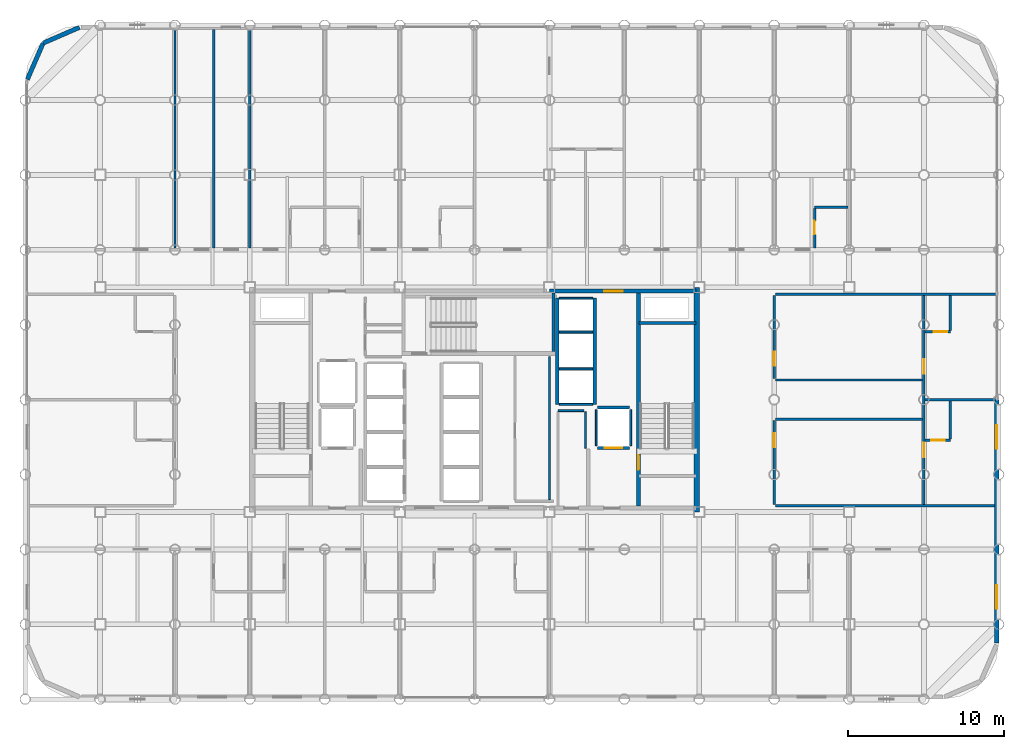
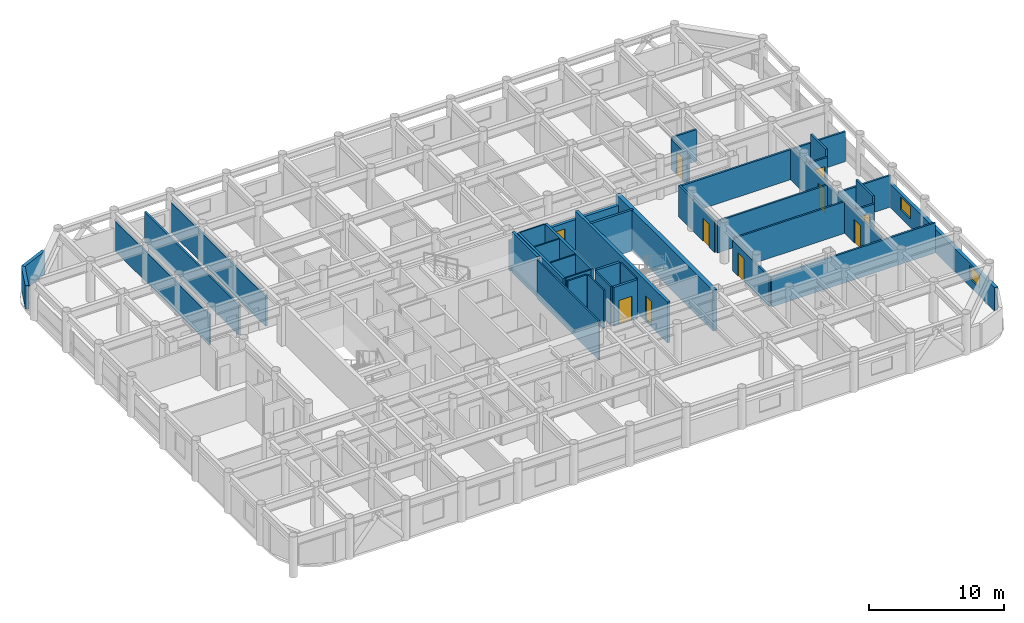
# One storey, part 20 of 22: 38 walls, 10 doors, 2 windows, 12 openings.
"""IFC4 building model written with IfcOpenShell, lengths in metres."""

from ifc_helpers import new_model, si_unit, direction, frame, frame_2d, origin, place, context, subcontext, project, spatial, rectangle, extrude, material, layer, layer_set, type_object, element, fill, save


model = new_model("IFC4")

# Units and contexts
model_context = context("Model", 3, precision=1e-05, world=origin(), true_north=direction((0.0, 1.0)))
body_context = subcontext(model_context, "Body", "Model", "MODEL_VIEW")
ifc_project = project(units=[si_unit("LENGTHUNIT", "METRE"), si_unit("AREAUNIT", "SQUARE_METRE"), si_unit("VOLUMEUNIT", "CUBIC_METRE"), si_unit("PLANEANGLEUNIT", "RADIAN"), si_unit("MASSUNIT", "GRAM", prefix="KILO")], contexts=[model_context])

# Site, building, storey
site_placement = place(None, origin())
site = spatial("IfcSite", under=ifc_project, at=site_placement, CompositionType="ELEMENT")
building_placement = place(site_placement, origin())
building = spatial("IfcBuilding", under=site, at=building_placement, Name="Kallvorn Hotel Tower", CompositionType="ELEMENT")
storey_placement = place(building_placement, frame((0.0, 0.0, 106.300048828125)))
storey = spatial("IfcBuildingStorey", under=building, at=storey_placement, Name="L25", CompositionType="ELEMENT", Elevation=106.300048828125)

# Walls
ifc_material_1 = material(Name="Concrete C50/60", Category="concrete")
ifc_layer_1 = layer(ifc_material_1, 0.35009765625)
ifc_layer_set_1 = layer_set([ifc_layer_1], Name="WL_CORE_350")
wall_type_1 = type_object("IfcWallType", Name="WL_CORE_350", PredefinedType="SHEAR", material=ifc_layer_set_1)
wall_1_placement = place(storey_placement, frame((14.239990234375, -7.199951171875, -0.179931640625), z_axis=(0.0, 0.0, 1.0), x_axis=(0.0, 1.0, 0.0)))
element("IfcWall", 1, at=wall_1_placement, inside=storey, type_object=wall_type_1, Name="L25 Core East Shear Wall", PredefinedType="SHEAR", context=body_context, shape_type="SweptSolid", body=[
    extrude(rectangle(XDim=14.39990234375, YDim=0.35009765625, at=frame_2d((7.199951171875, 0.0))), origin(), (0.0, 0.0, 1.0), 3.699951171875),
])
ifc_material_2 = material(Name="Fire-rated double-layer acoustic gypsum drywall EI 60")
ifc_layer_2 = layer(ifc_material_2, 0.159912109375)
ifc_layer_set_2 = layer_set([ifc_layer_2], Name="WL_DEMISE_160")
wall_type_2 = type_object("IfcWallType", Name="WL_DEMISE_160", PredefinedType="PARTITIONING", material=ifc_layer_set_2)
wall_2_placement = place(storey_placement, frame((19.280029296875, -6.800048828125, 0.0), z_axis=(0.0, 0.0, 1.0), x_axis=(1.0, 0.0, 0.0)))
element("IfcWall", 2, at=wall_2_placement, inside=storey, type_object=wall_type_2, Name="L25 Suite 2503 E Loggia King Room Partition", PredefinedType="PARTITIONING", context=body_context, shape_type="SweptSolid", body=[
    extrude(rectangle(XDim=14.030029296875, YDim=0.159912109375, at=frame_2d((7.01513671875, 0.0))), origin(), (0.0, 0.0, 1.0), 2.719970703125),
])

# Wall, opening, door
wall_3_placement = place(storey_placement, frame((28.8798828125, -2.60009765625, 0.0), z_axis=(0.0, 0.0, 1.0), x_axis=(1.0, 0.0, 0.0)))
wall_3 = element("IfcWall", 3, at=wall_3_placement, inside=storey, type_object=wall_type_2, Name="L25 Suite 2503 E Loggia King Room Partition", PredefinedType="PARTITIONING", context=body_context, shape_type="SweptSolid", body=[
    extrude(rectangle(XDim=1.6201171875, YDim=0.159912109375, at=frame_2d((0.81005859375, 0.0))), origin(), (0.0, 0.0, 1.0), 2.869873046875),
])
opening_1_placement = place(wall_3_placement, frame((0.3798828125, 0.0, 0.0)))
opening_1 = element("IfcOpeningElement", 4, at=opening_1_placement, cuts=wall_3, Name="Opening BD-I", PredefinedType="OPENING", context=body_context, shape_type="SweptSolid", body=[
    extrude(rectangle(XDim=0.860107421875, YDim=2.10009765625, at=frame_2d((0.43017578125, 1.050048828125))), frame((0.0, 0.094970703125, 0.0), z_axis=(0.0, -1.0, 0.0), x_axis=(1.0, 0.0, 0.0)), (0.0, 0.0, 1.0), 0.18994140625),
])
ifc_material_3 = material(Name="Solid-core walnut veneer fire-rated timber door leaf", Category="wood")
door_type_1 = type_object("IfcDoorType", Name="DR_BATH_860x2100", OperationType="NOTDEFINED", PredefinedType="DOOR", material=ifc_material_3)
door_1_placement = place(opening_1_placement, origin())
door_1 = element("IfcDoor", 5, at=door_1_placement, inside=storey, type_object=door_type_1, Name="L25 Suite 2503 En-Suite Bathroom Door", OperationType="SINGLE_SWING_LEFT", OverallHeight=2.10009765625, OverallWidth=0.860107421875, PredefinedType="DOOR", context=body_context, shape_type="SweptSolid", body=[
    extrude(rectangle(XDim=0.860107421875, YDim=2.10009765625, at=frame_2d((0.43017578125, 1.050048828125))), frame((0.0, 0.02490234375, 0.0), z_axis=(0.0, -1.0, 0.0), x_axis=(1.0, 0.0, 0.0)), (0.0, 0.0, 1.0), 0.050048828125),
])
fill(opening_1, door_1)

# Wall
wall_4_placement = place(storey_placement, frame((28.8798828125, 0.0, 0.0), z_axis=(0.0, 0.0, 1.0), x_axis=(1.0, 0.0, 0.0)))
element("IfcWall", 6, at=wall_4_placement, inside=storey, type_object=wall_type_2, Name="L25 Suite 2504 E Andean Twin Room Partition", PredefinedType="PARTITIONING", context=body_context, shape_type="SweptSolid", body=[
    extrude(rectangle(XDim=4.550048828125, YDim=0.159912109375, at=frame_2d((2.27490234375, 0.0))), origin(), (0.0, 0.0, 1.0), 2.869873046875),
])

# Wall, opening, door
wall_5_placement = place(storey_placement, frame((28.8798828125, 4.35009765625, 0.0), z_axis=(0.0, 0.0, 1.0), x_axis=(1.0, 0.0, 0.0)))
wall_5 = element("IfcWall", 7, at=wall_5_placement, inside=storey, type_object=wall_type_2, Name="L25 Suite 2504 E Andean Twin Room Partition", PredefinedType="PARTITIONING", context=body_context, shape_type="SweptSolid", body=[
    extrude(rectangle(XDim=1.6201171875, YDim=0.159912109375, at=frame_2d((0.81005859375, 0.0))), origin(), (0.0, 0.0, 1.0), 2.869873046875),
])
opening_2_placement = place(wall_5_placement, frame((0.5400390625, 0.0, 0.0)))
opening_2 = element("IfcOpeningElement", 8, at=opening_2_placement, cuts=wall_5, Name="Opening BD-I", PredefinedType="OPENING", context=body_context, shape_type="SweptSolid", body=[
    extrude(rectangle(XDim=0.860107421875, YDim=2.10009765625, at=frame_2d((0.43017578125, 1.050048828125))), frame((0.0, 0.094970703125, 0.0), z_axis=(0.0, -1.0, 0.0), x_axis=(1.0, 0.0, 0.0)), (0.0, 0.0, 1.0), 0.18994140625),
])
door_2_placement = place(opening_2_placement, origin())
door_2 = element("IfcDoor", 9, at=door_2_placement, inside=storey, type_object=door_type_1, Name="L25 Suite 2504 En-Suite Bathroom Door", OperationType="SINGLE_SWING_LEFT", OverallHeight=2.10009765625, OverallWidth=0.860107421875, PredefinedType="DOOR", context=body_context, shape_type="SweptSolid", body=[
    extrude(rectangle(XDim=0.860107421875, YDim=2.10009765625, at=frame_2d((0.43017578125, 1.050048828125))), frame((0.0, 0.02490234375, 0.0), z_axis=(0.0, -1.0, 0.0), x_axis=(1.0, 0.0, 0.0)), (0.0, 0.0, 1.0), 0.050048828125),
])
fill(opening_2, door_2)

# Walls
wall_6_placement = place(storey_placement, frame((19.280029296875, 6.75830078125, 0.0), z_axis=(0.0, 0.0, 1.0), x_axis=(1.0, 0.0, 0.0)))
element("IfcWall", 10, at=wall_6_placement, inside=storey, type_object=wall_type_2, Name="L25 Suite 2504 E Andean Twin Room Partition", PredefinedType="PARTITIONING", context=body_context, shape_type="SweptSolid", body=[
    extrude(rectangle(XDim=14.14990234375, YDim=0.159912109375, at=frame_2d((7.074951171875, 0.0))), origin(), (0.0, 0.0, 1.0), 2.719970703125),
])
wall_7_placement = place(storey_placement, frame((21.7900390625, 12.320068359375, 0.0), z_axis=(0.0, 0.0, 1.0), x_axis=(1.0, 0.0, 0.0)))
element("IfcWall", 11, at=wall_7_placement, inside=storey, type_object=wall_type_2, Name="L25 Suite 2515 Standard Twin Room Partition", PredefinedType="PARTITIONING", context=body_context, shape_type="SweptSolid", body=[
    extrude(rectangle(XDim=2.1298828125, YDim=0.159912109375, at=frame_2d((1.06494140625, 0.0))), origin(), (0.0, 0.0, 1.0), 2.869873046875),
])
wall_8_placement = place(storey_placement, frame((-14.39990234375, 9.719970703125, 0.0), z_axis=(0.0, 0.0, 1.0), x_axis=(0.0, 1.0, 0.0)))
element("IfcWall", 12, at=wall_8_placement, inside=storey, type_object=wall_type_2, Name="L25 Suite 2511 Standard Twin Room Partition", PredefinedType="PARTITIONING", context=body_context, shape_type="SweptSolid", body=[
    extrude(rectangle(XDim=13.989990234375, YDim=0.159912109375, at=frame_2d((6.9951171875, 0.0))), origin(), (0.0, 0.0, 1.0), 2.719970703125),
])

# Wall, opening, door
wall_9_placement = place(storey_placement, frame((21.7900390625, 9.719970703125, 0.0), z_axis=(0.0, 0.0, 1.0), x_axis=(0.0, 1.0, 0.0)))
wall_9 = element("IfcWall", 13, at=wall_9_placement, inside=storey, type_object=wall_type_2, Name="L25 Suite 2515 Standard Twin Room Partition", PredefinedType="PARTITIONING", context=body_context, shape_type="SweptSolid", body=[
    extrude(rectangle(XDim=2.51513671875, YDim=0.159912109375, at=frame_2d((1.257568359375, 0.0))), origin(), (0.0, 0.0, 1.0), 2.719970703125),
])
opening_3_placement = place(wall_9_placement, frame((0.8701171875, 0.0, 0.0)))
opening_3 = element("IfcOpeningElement", 14, at=opening_3_placement, cuts=wall_9, Name="Opening BD-I", PredefinedType="OPENING", context=body_context, shape_type="SweptSolid", body=[
    extrude(rectangle(XDim=0.860107421875, YDim=2.10009765625, at=frame_2d((0.43017578125, 1.050048828125))), frame((0.0, 0.094970703125, 0.0), z_axis=(0.0, -1.0, 0.0), x_axis=(1.0, 0.0, 0.0)), (0.0, 0.0, 1.0), 0.18994140625),
])
door_3_placement = place(opening_3_placement, origin())
door_3 = element("IfcDoor", 15, at=door_3_placement, inside=storey, type_object=door_type_1, Name="L25 Suite 2515 En-Suite Bathroom Door", OperationType="SINGLE_SWING_RIGHT", OverallHeight=2.10009765625, OverallWidth=0.860107421875, PredefinedType="DOOR", context=body_context, shape_type="SweptSolid", body=[
    extrude(rectangle(XDim=0.860107421875, YDim=2.10009765625, at=frame_2d((0.43017578125, 1.050048828125))), frame((0.0, 0.02490234375, 0.0), z_axis=(0.0, -1.0, 0.0), x_axis=(1.0, 0.0, 0.0)), (0.0, 0.0, 1.0), 0.050048828125),
])
fill(opening_3, door_3)

# Wall, openings, doors
wall_10_placement = place(storey_placement, frame((28.800048828125, -6.715087890625, 0.0), z_axis=(0.0, 0.0, 1.0), x_axis=(0.0, 1.0, 0.0)))
wall_10 = element("IfcWall", 16, at=wall_10_placement, inside=storey, type_object=wall_type_2, Name="L25 Suite 2503 E Loggia King Room Partition", PredefinedType="PARTITIONING", context=body_context, shape_type="SweptSolid", body=[
    extrude(rectangle(XDim=13.388427734375, YDim=0.159912109375, at=frame_2d((6.6943359375, 0.0))), origin(), (0.0, 0.0, 1.0), 2.869873046875),
])
opening_4_placement = place(wall_10_placement, frame((3.034912109375, 0.0, 0.0)))
opening_4 = element("IfcOpeningElement", 17, at=opening_4_placement, cuts=wall_10, Name="Opening GD1", PredefinedType="OPENING", context=body_context, shape_type="SweptSolid", body=[
    extrude(rectangle(XDim=0.919921875, YDim=2.14990234375, at=frame_2d((0.4599609375, 1.074951171875))), frame((0.0, 0.094970703125, 0.0), z_axis=(0.0, -1.0, 0.0), x_axis=(1.0, 0.0, 0.0)), (0.0, 0.0, 1.0), 0.18994140625),
])
opening_5_placement = place(wall_10_placement, frame((8.385009765625, 0.0, 0.0)))
opening_5 = element("IfcOpeningElement", 18, at=opening_5_placement, cuts=wall_10, Name="Opening GD1", PredefinedType="OPENING", context=body_context, shape_type="SweptSolid", body=[
    extrude(rectangle(XDim=0.919921875, YDim=2.14990234375, at=frame_2d((0.4599609375, 1.074951171875))), frame((0.0, 0.094970703125, 0.0), z_axis=(0.0, -1.0, 0.0), x_axis=(1.0, 0.0, 0.0)), (0.0, 0.0, 1.0), 0.18994140625),
])
ifc_material_4 = material(Name="Solid-core walnut veneer fire-rated timber door leaf", Category="wood")
door_type_2 = type_object("IfcDoorType", Name="DR_GUEST_920x2150", OperationType="NOTDEFINED", PredefinedType="DOOR", material=ifc_material_4)
door_4_placement = place(opening_4_placement, origin())
door_4 = element("IfcDoor", 19, at=door_4_placement, inside=storey, type_object=door_type_2, Name="L25 Suite 2503 E Loggia King Room Door", OperationType="SINGLE_SWING_LEFT", OverallHeight=2.14990234375, OverallWidth=0.919921875, PredefinedType="DOOR", context=body_context, shape_type="SweptSolid", body=[
    extrude(rectangle(XDim=0.919921875, YDim=2.14990234375, at=frame_2d((0.4599609375, 1.074951171875))), frame((0.0, 0.02490234375, 0.0), z_axis=(0.0, -1.0, 0.0), x_axis=(1.0, 0.0, 0.0)), (0.0, 0.0, 1.0), 0.050048828125),
])
fill(opening_4, door_4)
door_5_placement = place(opening_5_placement, origin())
door_5 = element("IfcDoor", 20, at=door_5_placement, inside=storey, type_object=door_type_2, Name="L25 Suite 2504 E Andean Twin Room Door", OperationType="SINGLE_SWING_LEFT", OverallHeight=2.14990234375, OverallWidth=0.919921875, PredefinedType="DOOR", context=body_context, shape_type="SweptSolid", body=[
    extrude(rectangle(XDim=0.919921875, YDim=2.14990234375, at=frame_2d((0.4599609375, 1.074951171875))), frame((0.0, 0.02490234375, 0.0), z_axis=(0.0, -1.0, 0.0), x_axis=(1.0, 0.0, 0.0)), (0.0, 0.0, 1.0), 0.050048828125),
])
fill(opening_5, door_5)

# Walls
wall_11_placement = place(storey_placement, frame((30.5, -2.514892578125, 0.0), z_axis=(0.0, 0.0, 1.0), x_axis=(0.0, 1.0, 0.0)))
element("IfcWall", 21, at=wall_11_placement, inside=storey, type_object=wall_type_2, Name="L25 Suite 2503 E Loggia King Room Partition", PredefinedType="PARTITIONING", context=body_context, shape_type="SweptSolid", body=[
    extrude(rectangle(XDim=2.414794921875, YDim=0.159912109375, at=frame_2d((1.20751953125, 0.0))), origin(), (0.0, 0.0, 1.0), 3.52001953125),
])
wall_12_placement = place(storey_placement, frame((30.5, 4.43505859375, 0.0), z_axis=(0.0, 0.0, 1.0), x_axis=(0.0, 1.0, 0.0)))
element("IfcWall", 22, at=wall_12_placement, inside=storey, type_object=wall_type_2, Name="L25 Suite 2504 E Andean Twin Room Partition", PredefinedType="PARTITIONING", context=body_context, shape_type="SweptSolid", body=[
    extrude(rectangle(XDim=2.23828125, YDim=0.159912109375, at=frame_2d((1.119140625, 0.0))), origin(), (0.0, 0.0, 1.0), 3.52001953125),
])
ifc_material_5 = material(Name="Precast basalt-clad insulated concrete wall C40/50", Category="masonry")
ifc_layer_3 = layer(ifc_material_5, 0.280029296875)
ifc_layer_set_3 = layer_set([ifc_layer_3], Name="WL_EXT_LOGGIA_280")
wall_type_3 = type_object("IfcWallType", Name="WL_EXT_LOGGIA_280", PredefinedType="SOLIDWALL", material=ifc_layer_set_3)
wall_13_placement = place(storey_placement, frame((-25.32080078125, 23.85791015625, 0.0), z_axis=(0.0, 0.0, 1.0), x_axis=(-0.917060872934, -0.398747232384, 0.0)))
element("IfcWall", 23, at=wall_13_placement, inside=storey, type_object=wall_type_3, Name="L25 Rounded Corner Exterior Wall NW1", PredefinedType="SOLIDWALL", context=body_context, shape_type="SweptSolid", body=[
    extrude(rectangle(XDim=2.5361328125, YDim=0.280029296875, at=frame_2d((1.26806640625, 0.0))), origin(), (0.0, 0.0, 1.0), 2.119873046875),
])
wall_14_placement = place(storey_placement, frame((-27.646484375, 22.8466796875, 0.0), z_axis=(0.0, 0.0, 1.0), x_axis=(-0.398792985289, -0.917040977756, 0.0)))
element("IfcWall", 24, at=wall_14_placement, inside=storey, type_object=wall_type_3, Name="L25 Rounded Corner Exterior Wall NW2", PredefinedType="SOLIDWALL", context=body_context, shape_type="SweptSolid", body=[
    extrude(rectangle(XDim=2.536376953125, YDim=0.280029296875, at=frame_2d((1.26806640625, 0.0))), origin(), (0.0, 0.0, 1.0), 2.119873046875),
])

# Wall, openings, windows
wall_15_placement = place(storey_placement, frame((33.4599609375, -15.60009765625, 0.0), z_axis=(0.0, 0.0, 1.0), x_axis=(0.0, 1.0, 0.0)))
wall_15 = element("IfcWall", 25, at=wall_15_placement, inside=storey, type_object=wall_type_3, Name="L25 Exterior Envelope Wall EW-L25-ES", PredefinedType="SOLIDWALL", context=body_context, shape_type="SweptSolid", body=[
    extrude(rectangle(XDim=15.580078125, YDim=0.280029296875, at=frame_2d((7.7900390625, 0.0))), origin(), (0.0, 0.0, 1.0), 2.119873046875),
])
opening_6_placement = place(wall_15_placement, frame((2.18994140625, 0.0, 0.75)))
opening_6 = element("IfcOpeningElement", 26, at=opening_6_placement, cuts=wall_15, Name="Opening W05A", PredefinedType="OPENING", context=body_context, shape_type="SweptSolid", body=[
    extrude(rectangle(XDim=1.5, YDim=1.14990234375, at=frame_2d((0.75, 0.574951171875))), frame((0.0, 0.155029296875, 0.0), z_axis=(0.0, -1.0, 0.0), x_axis=(1.0, 0.0, 0.0)), (0.0, 0.0, 1.0), 0.31005859375),
])
opening_7_placement = place(wall_15_placement, frame((12.449951171875, 0.0, 0.75)))
opening_7 = element("IfcOpeningElement", 27, at=opening_7_placement, cuts=wall_15, Name="Opening W05A", PredefinedType="OPENING", context=body_context, shape_type="SweptSolid", body=[
    extrude(rectangle(XDim=1.5, YDim=1.14990234375, at=frame_2d((0.75, 0.574951171875))), frame((0.0, 0.155029296875, 0.0), z_axis=(0.0, -1.0, 0.0), x_axis=(1.0, 0.0, 0.0)), (0.0, 0.0, 1.0), 0.31005859375),
])
ifc_material_6 = material(Name="Double-glazed low-e solar-control dark glass", Category="glass")
window_type = type_object("IfcWindowType", Name="WN_HTL_1500x1150", PartitioningType="SINGLE_PANEL", PredefinedType="WINDOW", material=ifc_material_6)
window_1_placement = place(opening_6_placement, origin())
window_1 = element("IfcWindow", 28, at=window_1_placement, inside=storey, type_object=window_type, Name="L25 Flank Wing Window 02", OverallHeight=1.14990234375, OverallWidth=1.5, PartitioningType="SINGLE_PANEL", PredefinedType="WINDOW", context=body_context, shape_type="SweptSolid", body=[
    extrude(rectangle(XDim=1.5, YDim=1.14990234375, at=frame_2d((0.75, 0.574951171875))), frame((0.0, 0.030029296875, 0.0), z_axis=(0.0, -1.0, 0.0), x_axis=(1.0, 0.0, 0.0)), (0.0, 0.0, 1.0), 0.06005859375),
])
fill(opening_6, window_1)
window_2_placement = place(opening_7_placement, origin())
window_2 = element("IfcWindow", 29, at=window_2_placement, inside=storey, type_object=window_type, Name="L25 Flank Wing Window 04", OverallHeight=1.14990234375, OverallWidth=1.5, PartitioningType="SINGLE_PANEL", PredefinedType="WINDOW", context=body_context, shape_type="SweptSolid", body=[
    extrude(rectangle(XDim=1.5, YDim=1.14990234375, at=frame_2d((0.75, 0.574951171875))), frame((0.0, 0.030029296875, 0.0), z_axis=(0.0, -1.0, 0.0), x_axis=(1.0, 0.0, 0.0)), (0.0, 0.0, 1.0), 0.06005859375),
])
fill(opening_7, window_2)

# Walls
ifc_material_7 = material(Name="Concrete C40/50", Category="concrete")
ifc_layer_4 = layer(ifc_material_7, 0.199951171875)
ifc_layer_set_4 = layer_set([ifc_layer_4], Name="WL_HOIST_200")
wall_type_4 = type_object("IfcWallType", Name="WL_HOIST_200", PredefinedType="SOLIDWALL", material=ifc_layer_set_4)
wall_16_placement = place(storey_placement, frame((10.550048828125, 4.89990234375, -0.179931640625), z_axis=(0.0, 0.0, 1.0), x_axis=(1.0, 0.0, 0.0)))
element("IfcWall", 30, at=wall_16_placement, inside=storey, type_object=wall_type_4, Name="L25 Stair ST2 North Wall", PredefinedType="SOLIDWALL", context=body_context, shape_type="SweptSolid", body=[
    extrude(rectangle(XDim=3.64990234375, YDim=0.199951171875, at=frame_2d((1.824951171875, 0.0))), origin(), (0.0, 0.0, 1.0), 3.699951171875),
])
wall_17_placement = place(storey_placement, frame((5.06005859375, 3.080078125, -0.179931640625), z_axis=(0.0, 0.0, 1.0), x_axis=(0.0, 1.0, 0.0)))
element("IfcWall", 31, at=wall_17_placement, inside=storey, type_object=wall_type_4, Name="L25 Stair ST3 East Wall", PredefinedType="SOLIDWALL", context=body_context, shape_type="SweptSolid", body=[
    extrude(rectangle(XDim=3.739990234375, YDim=0.199951171875, at=frame_2d((1.8701171875, 0.0))), origin(), (0.0, 0.0, 1.0), 3.699951171875),
])
for number, where, z_axis, x_axis, name in (
    (32, (7.699951171875, -0.300048828125, 0.0), (0.0, 0.0, 1.0), (0.0, 1.0, 0.0), "L25 Lift Bank OBS Landing Wall"),
    (33, (5.300048828125, -0.300048828125, 0.0), (0.0, 0.0, 1.0), (0.0, 1.0, 0.0), "L25 Lift Bank OBS Rear Shaft Wall"),
):
    element("IfcWall", number, at=place(storey_placement, frame(where, z_axis=z_axis, x_axis=x_axis)), inside=storey, type_object=wall_type_4, Name=name, PredefinedType="SOLIDWALL", context=body_context, shape_type="SweptSolid", body=[
        extrude(rectangle(XDim=6.800048828125, YDim=0.199951171875, at=frame_2d((3.39990234375, 0.0))), origin(), (0.0, 0.0, 1.0), 3.52001953125),
    ])

# Wall, opening, door
wall_18_placement = place(storey_placement, frame((7.8798828125, -3.10009765625, 0.0), z_axis=(0.0, 0.0, 1.0), x_axis=(1.0, 0.0, 0.0)))
wall_18 = element("IfcWall", 34, at=wall_18_placement, inside=storey, type_object=wall_type_4, Name="L25 FL-2 Landing Wall", PredefinedType="SOLIDWALL", context=body_context, shape_type="SweptSolid", body=[
    extrude(rectangle(XDim=2.0400390625, YDim=0.199951171875, at=frame_2d((1.02001953125, 0.0))), origin(), (0.0, 0.0, 1.0), 3.52001953125),
])
opening_8_placement = place(wall_18_placement, frame((0.469970703125, 0.0, 0.0)))
opening_8 = element("IfcOpeningElement", 35, at=opening_8_placement, cuts=wall_18, Name="Opening LD-FL-2", PredefinedType="OPENING", context=body_context, shape_type="SweptSolid", body=[
    extrude(rectangle(XDim=1.10009765625, YDim=2.199951171875, at=frame_2d((0.550048828125, 1.10009765625))), frame((0.0, 0.114990234375, 0.0), z_axis=(0.0, -1.0, 0.0), x_axis=(1.0, 0.0, 0.0)), (0.0, 0.0, 1.0), 0.22998046875),
])
ifc_material_8 = material(Name="Brushed stainless-steel automatic sliding lift landing door", Category="steel")
door_type_3 = type_object("IfcDoorType", Name="LD_PASS_1100x2200", OperationType="SLIDING_TO_LEFT", PredefinedType="DOOR", material=ifc_material_8)
door_6_placement = place(opening_8_placement, origin())
door_6 = element("IfcDoor", 36, at=door_6_placement, inside=storey, type_object=door_type_3, Name="L25 Lift Landing Sliding Door LD-FL-2", OperationType="SLIDING_TO_LEFT", OverallHeight=2.199951171875, OverallWidth=1.10009765625, PredefinedType="DOOR", context=body_context, shape_type="SweptSolid", body=[
    extrude(rectangle(XDim=1.10009765625, YDim=2.199951171875, at=frame_2d((0.550048828125, 1.10009765625))), frame((0.0, 0.02490234375, 0.0), z_axis=(0.0, -1.0, 0.0), x_axis=(1.0, 0.0, 0.0)), (0.0, 0.0, 1.0), 0.050048828125),
])
fill(opening_8, door_6)

# Walls
wall_19_placement = place(storey_placement, frame((7.8798828125, -0.5, 0.0), z_axis=(0.0, 0.0, 1.0), x_axis=(1.0, 0.0, 0.0)))
element("IfcWall", 37, at=wall_19_placement, inside=storey, type_object=wall_type_4, Name="L25 FL-2 Rear Shaft Wall", PredefinedType="SOLIDWALL", context=body_context, shape_type="SweptSolid", body=[
    extrude(rectangle(XDim=2.0400390625, YDim=0.199951171875, at=frame_2d((1.02001953125, 0.0))), origin(), (0.0, 0.0, 1.0), 3.52001953125),
])
ifc_material_9 = material(Name="Fire-rated double-layer acoustic gypsum drywall EI 60")
ifc_layer_5 = layer(ifc_material_9, 0.1201171875)
ifc_layer_set_5 = layer_set([ifc_layer_5], Name="WL_INT_120")
wall_type_5 = type_object("IfcWallType", Name="WL_INT_120", PredefinedType="PARTITIONING", material=ifc_layer_set_5)
for number, where, z_axis, x_axis, name in (
    (38, (5.43994140625, -0.300048828125, 0.0), (0.0, 0.0, 1.0), (1.0, 0.0, 0.0), "L25 Lift Bank OBS South Closure Wall"),
    (39, (5.43994140625, 1.97509765625, 0.0), (0.0, 0.0, 1.0), (1.0, 0.0, 0.0), "L25 OB-01 Hoistway Divider"),
    (40, (5.43994140625, 4.324951171875, 0.0), (0.0, 0.0, 1.0), (1.0, 0.0, 0.0), "L25 OB-02 Hoistway Divider"),
    (41, (5.43994140625, 6.5, 0.0), (0.0, 0.0, 1.0), (1.0, 0.0, 0.0), "L25 OB-03 Hoistway Divider"),
):
    element("IfcWall", number, at=place(storey_placement, frame(where, z_axis=z_axis, x_axis=x_axis)), inside=storey, type_object=wall_type_5, Name=name, PredefinedType="PARTITIONING", context=body_context, shape_type="SweptSolid", body=[
        extrude(rectangle(XDim=2.1201171875, YDim=0.1201171875, at=frame_2d((1.06005859375, 0.0))), origin(), (0.0, 0.0, 1.0), 3.52001953125),
    ])
for number, where, z_axis, x_axis, name in (
    (42, (7.800048828125, -2.9599609375, 0.0), (0.0, 0.0, 1.0), (0.0, 1.0, 0.0), "L25 FL-2 West Shaft Wall"),
    (43, (10.0, -2.9599609375, 0.0), (0.0, 0.0, 1.0), (0.0, 1.0, 0.0), "L25 FL-2 East Shaft Wall"),
):
    element("IfcWall", number, at=place(storey_placement, frame(where, z_axis=z_axis, x_axis=x_axis)), inside=storey, type_object=wall_type_5, Name=name, PredefinedType="PARTITIONING", context=body_context, shape_type="SweptSolid", body=[
        extrude(rectangle(XDim=2.320068359375, YDim=0.1201171875, at=frame_2d((1.16015625, 0.0))), origin(), (0.0, 0.0, 1.0), 3.52001953125),
    ])
wall_20_placement = place(storey_placement, frame((5.35009765625, -0.699951171875, 0.0), z_axis=(0.0, 0.0, 1.0), x_axis=(1.0, 0.0, 0.0)))
element("IfcWall", 44, at=wall_20_placement, inside=storey, type_object=wall_type_5, Name="L25 Core Utility and Meter Room Partition", PredefinedType="PARTITIONING", context=body_context, shape_type="SweptSolid", body=[
    extrude(rectangle(XDim=1.64990234375, YDim=0.1201171875, at=frame_2d((0.824951171875, 0.0))), origin(), (0.0, 0.0, 1.0), 3.52001953125),
])
wall_21_placement = place(storey_placement, frame((4.800048828125, -6.4150390625, 0.0), z_axis=(0.0, 0.0, 1.0), x_axis=(0.0, 1.0, 0.0)))
element("IfcWall", 45, at=wall_21_placement, inside=storey, type_object=wall_type_5, Name="L25 East Core Consolidated Linen and Supply Store Partition", PredefinedType="PARTITIONING", context=body_context, shape_type="SweptSolid", body=[
    extrude(rectangle(XDim=9.1650390625, YDim=0.1201171875, at=frame_2d((4.58251953125, 0.0))), origin(), (0.0, 0.0, 1.0), 3.52001953125),
])
wall_22_placement = place(storey_placement, frame((7.106689453125, -3.110107421875, 0.0), z_axis=(0.0, 0.0, 1.0), x_axis=(0.0, 1.0, 0.0)))
element("IfcWall", 46, at=wall_22_placement, inside=storey, type_object=wall_type_5, Name="L25 Core Utility and Meter Room Partition", PredefinedType="PARTITIONING", context=body_context, shape_type="SweptSolid", body=[
    extrude(rectangle(XDim=2.3251953125, YDim=0.1201171875, at=frame_2d((1.16259765625, 0.0))), origin(), (0.0, 0.0, 1.0), 3.52001953125),
])
ifc_material_10 = material(Name="Fire-rated double-layer acoustic gypsum drywall EI 60")
ifc_layer_6 = layer(ifc_material_10, 0.14990234375)
ifc_layer_set_6 = layer_set([ifc_layer_6], Name="WL_PART_150")
wall_type_6 = type_object("IfcWallType", Name="WL_PART_150", PredefinedType="PARTITIONING", material=ifc_layer_set_6)
for number, where, z_axis, x_axis, name in (
    (47, (19.280029296875, -1.260009765625, 0.0), (0.0, 0.0, 1.0), (1.0, 0.0, 0.0), "L25 L25 East Inner Club Bar Partition"),
    (48, (19.280029296875, 1.260009765625, 0.0), (0.0, 0.0, 1.0), (1.0, 0.0, 0.0), "L25 L25 East Inner Screening Salon Partition"),
):
    element("IfcWall", number, at=place(storey_placement, frame(where, z_axis=z_axis, x_axis=x_axis)), inside=storey, type_object=wall_type_6, Name=name, PredefinedType="PARTITIONING", context=body_context, shape_type="SweptSolid", body=[
        extrude(rectangle(XDim=9.43994140625, YDim=0.14990234375, at=frame_2d((4.719970703125, 0.0))), origin(), (0.0, 0.0, 1.0), 2.869873046875),
    ])
for number, where, z_axis, x_axis, name in (
    (49, (-19.199951171875, 9.719970703125, 0.0), (0.0, 0.0, 1.0), (0.0, 1.0, 0.0), "L25 Housekeeping and Linen Room Partition"),
    (50, (-16.705078125, 9.719970703125, 0.0), (0.0, 0.0, 1.0), (0.0, 1.0, 0.0), "L25 Guest Tea and Refreshment Bar Partition"),
):
    element("IfcWall", number, at=place(storey_placement, frame(where, z_axis=z_axis, x_axis=x_axis)), inside=storey, type_object=wall_type_6, Name=name, PredefinedType="PARTITIONING", context=body_context, shape_type="SweptSolid", body=[
        extrude(rectangle(XDim=13.989990234375, YDim=0.14990234375, at=frame_2d((6.9951171875, 0.0))), origin(), (0.0, 0.0, 1.0), 2.719970703125),
    ])

# Wall, opening, door
wall_23_placement = place(storey_placement, frame((19.199951171875, -6.715087890625, 0.0), z_axis=(0.0, 0.0, 1.0), x_axis=(0.0, 1.0, 0.0)))
wall_23 = element("IfcWall", 51, at=wall_23_placement, inside=storey, type_object=wall_type_6, Name="L25 L25 East Inner Club Bar Partition", PredefinedType="PARTITIONING", context=body_context, shape_type="SweptSolid", body=[
    extrude(rectangle(XDim=5.3701171875, YDim=0.14990234375, at=frame_2d((2.68505859375, 0.0))), origin(), (0.0, 0.0, 1.0), 2.719970703125),
])
opening_9_placement = place(wall_23_placement, frame((3.66015625, 0.0, 0.0)))
opening_9 = element("IfcOpeningElement", 52, at=opening_9_placement, cuts=wall_23, Name="Opening SVD1", PredefinedType="OPENING", context=body_context, shape_type="SweptSolid", body=[
    extrude(rectangle(XDim=0.89990234375, YDim=2.10009765625, at=frame_2d((0.449951171875, 1.050048828125))), frame((0.0, 0.08984375, 0.0), z_axis=(0.0, -1.0, 0.0), x_axis=(1.0, 0.0, 0.0)), (0.0, 0.0, 1.0), 0.179931640625),
])
ifc_material_11 = material(Name="Galvanised painted steel fire-rated door assembly", Category="steel")
door_type_4 = type_object("IfcDoorType", Name="DR_SERV_900x2100", OperationType="NOTDEFINED", PredefinedType="DOOR", material=ifc_material_11)
door_7_placement = place(opening_9_placement, origin())
door_7 = element("IfcDoor", 53, at=door_7_placement, inside=storey, type_object=door_type_4, Name="L25 L25 East Inner Club Bar Door", OperationType="SINGLE_SWING_LEFT", OverallHeight=2.10009765625, OverallWidth=0.89990234375, PredefinedType="DOOR", context=body_context, shape_type="SweptSolid", body=[
    extrude(rectangle(XDim=0.89990234375, YDim=2.10009765625, at=frame_2d((0.449951171875, 1.050048828125))), frame((0.0, 0.02490234375, 0.0), z_axis=(0.0, -1.0, 0.0), x_axis=(1.0, 0.0, 0.0)), (0.0, 0.0, 1.0), 0.050048828125),
])
fill(opening_9, door_7)

wall_24_placement = place(storey_placement, frame((19.199951171875, 1.344970703125, 0.0), z_axis=(0.0, 0.0, 1.0), x_axis=(0.0, 1.0, 0.0)))
wall_24 = element("IfcWall", 54, at=wall_24_placement, inside=storey, type_object=wall_type_6, Name="L25 L25 East Inner Screening Salon Partition", PredefinedType="PARTITIONING", context=body_context, shape_type="SweptSolid", body=[
    extrude(rectangle(XDim=5.328369140625, YDim=0.14990234375, at=frame_2d((2.6640625, 0.0))), origin(), (0.0, 0.0, 1.0), 2.869873046875),
])
opening_10_placement = place(wall_24_placement, frame((0.818115234375, 0.0, 0.0)))
opening_10 = element("IfcOpeningElement", 55, at=opening_10_placement, cuts=wall_24, Name="Opening SVD1", PredefinedType="OPENING", context=body_context, shape_type="SweptSolid", body=[
    extrude(rectangle(XDim=0.89990234375, YDim=2.10009765625, at=frame_2d((0.449951171875, 1.050048828125))), frame((0.0, 0.08984375, 0.0), z_axis=(0.0, -1.0, 0.0), x_axis=(1.0, 0.0, 0.0)), (0.0, 0.0, 1.0), 0.179931640625),
])
door_8_placement = place(opening_10_placement, origin())
door_8 = element("IfcDoor", 56, at=door_8_placement, inside=storey, type_object=door_type_4, Name="L25 L25 East Inner Screening Salon Door", OperationType="SINGLE_SWING_LEFT", OverallHeight=2.10009765625, OverallWidth=0.89990234375, PredefinedType="DOOR", context=body_context, shape_type="SweptSolid", body=[
    extrude(rectangle(XDim=0.89990234375, YDim=2.10009765625, at=frame_2d((0.449951171875, 1.050048828125))), frame((0.0, 0.02490234375, 0.0), z_axis=(0.0, -1.0, 0.0), x_axis=(1.0, 0.0, 0.0)), (0.0, 0.0, 1.0), 0.050048828125),
])
fill(opening_10, door_8)

ifc_material_12 = material(Name="Concrete C40/50", Category="concrete")
ifc_layer_7 = layer(ifc_material_12, 0.25)
ifc_layer_set_7 = layer_set([ifc_layer_7], Name="WL_SHAFT_250")
wall_type_7 = type_object("IfcWallType", Name="WL_SHAFT_250", PredefinedType="SOLIDWALL", material=ifc_layer_set_7)
wall_25_placement = place(storey_placement, frame((4.800048828125, 6.949951171875, 0.0), z_axis=(0.0, 0.0, 1.0), x_axis=(1.0, 0.0, 0.0)))
wall_25 = element("IfcWall", 57, at=wall_25_placement, inside=storey, type_object=wall_type_7, Name="L25 Core North-East Wall", PredefinedType="SOLIDWALL", context=body_context, shape_type="SweptSolid", body=[
    extrude(rectangle(XDim=9.39990234375, YDim=0.25, at=frame_2d((4.699951171875, 0.0))), origin(), (0.0, 0.0, 1.0), 2.719970703125),
])
opening_11_placement = place(wall_25_placement, frame((3.5, 0.0, 0.0)))
opening_11 = element("IfcOpeningElement", 58, at=opening_11_placement, cuts=wall_25, Name="Opening FD2", PredefinedType="OPENING", context=body_context, shape_type="SweptSolid", body=[
    extrude(rectangle(XDim=1.199951171875, YDim=2.199951171875, at=frame_2d((0.60009765625, 1.10009765625))), frame((0.0, 0.139892578125, 0.0), z_axis=(0.0, -1.0, 0.0), x_axis=(1.0, 0.0, 0.0)), (0.0, 0.0, 1.0), 0.280029296875),
])
ifc_material_13 = material(Name="Galvanised painted steel fire-rated door assembly", Category="steel")
door_type_5 = type_object("IfcDoorType", Name="DR_LOBBY_1200x2200", OperationType="DOUBLE_DOOR_SINGLE_SWING", PredefinedType="DOOR", material=ifc_material_13)
door_9_placement = place(opening_11_placement, origin())
door_9 = element("IfcDoor", 59, at=door_9_placement, inside=storey, type_object=door_type_5, Name="L25 Observatory Shuttle Lobby Door", OperationType="DOUBLE_DOOR_SINGLE_SWING", OverallHeight=2.199951171875, OverallWidth=1.199951171875, PredefinedType="DOOR", context=body_context, shape_type="SweptSolid", body=[
    extrude(rectangle(XDim=1.199951171875, YDim=2.199951171875, at=frame_2d((0.60009765625, 1.10009765625))), frame((0.0, 0.02490234375, 0.0), z_axis=(0.0, -1.0, 0.0), x_axis=(1.0, 0.0, 0.0)), (0.0, 0.0, 1.0), 0.050048828125),
])
fill(opening_11, door_9)

wall_26_placement = place(storey_placement, frame((10.5, -6.820068359375, -0.179931640625), z_axis=(0.0, 0.0, 1.0), x_axis=(0.0, 1.0, 0.0)))
wall_26 = element("IfcWall", 60, at=wall_26_placement, inside=storey, type_object=wall_type_7, Name="L25 Stair ST2 Shaft Wall", PredefinedType="SOLIDWALL", context=body_context, shape_type="SweptSolid", body=[
    extrude(rectangle(XDim=13.64013671875, YDim=0.25, at=frame_2d((6.820068359375, 0.0))), origin(), (0.0, 0.0, 1.0), 3.699951171875),
])
opening_12_placement = place(wall_26_placement, frame((2.320068359375, 0.0, 0.179931640625)))
opening_12 = element("IfcOpeningElement", 61, at=opening_12_placement, cuts=wall_26, Name="Opening SD1", PredefinedType="OPENING", context=body_context, shape_type="SweptSolid", body=[
    extrude(rectangle(XDim=0.949951171875, YDim=2.14990234375, at=frame_2d((0.47509765625, 1.074951171875))), frame((0.0, 0.139892578125, 0.0), z_axis=(0.0, -1.0, 0.0), x_axis=(1.0, 0.0, 0.0)), (0.0, 0.0, 1.0), 0.280029296875),
])
ifc_material_14 = material(Name="Galvanised painted steel fire-rated door assembly", Category="steel")
door_type_6 = type_object("IfcDoorType", Name="DR_STAIR_950x2150", OperationType="NOTDEFINED", PredefinedType="DOOR", material=ifc_material_14)
door_10_placement = place(opening_12_placement, origin())
door_10 = element("IfcDoor", 62, at=door_10_placement, inside=storey, type_object=door_type_6, Name="L25 Exit Stair ST2 Fire Door", OperationType="SINGLE_SWING_RIGHT", OverallHeight=2.14990234375, OverallWidth=0.949951171875, PredefinedType="DOOR", context=body_context, shape_type="SweptSolid", body=[
    extrude(rectangle(XDim=0.949951171875, YDim=2.14990234375, at=frame_2d((0.47509765625, 1.074951171875))), frame((0.0, 0.02490234375, 0.0), z_axis=(0.0, -1.0, 0.0), x_axis=(1.0, 0.0, 0.0)), (0.0, 0.0, 1.0), 0.050048828125),
])
fill(opening_12, door_10)

save(model, "model.ifc")
